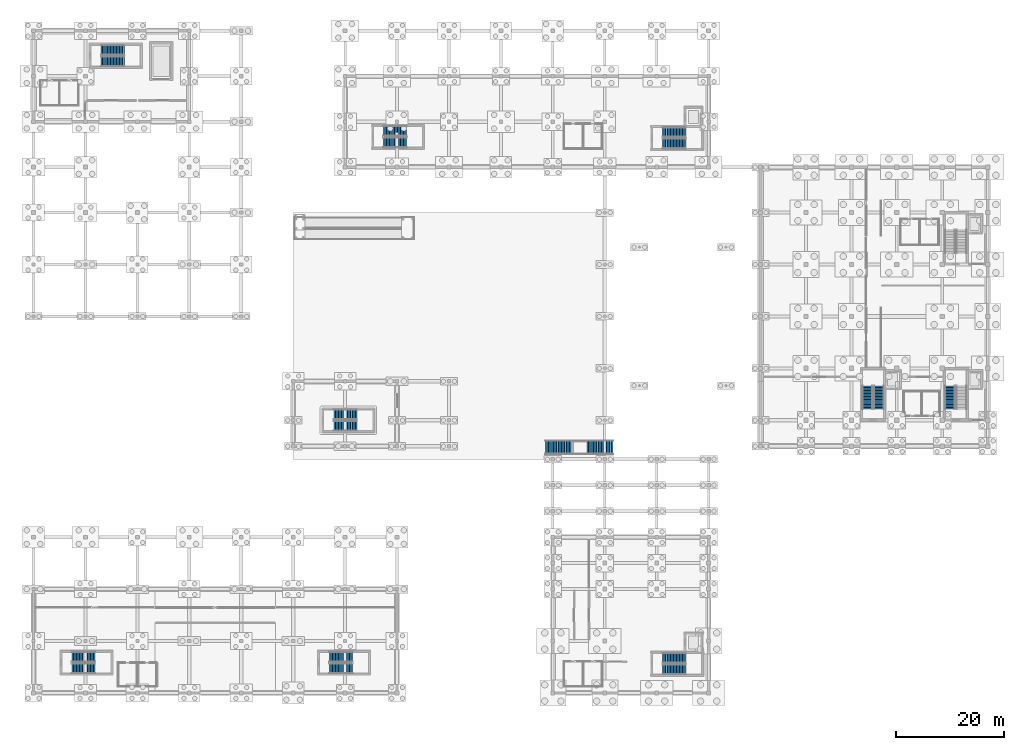
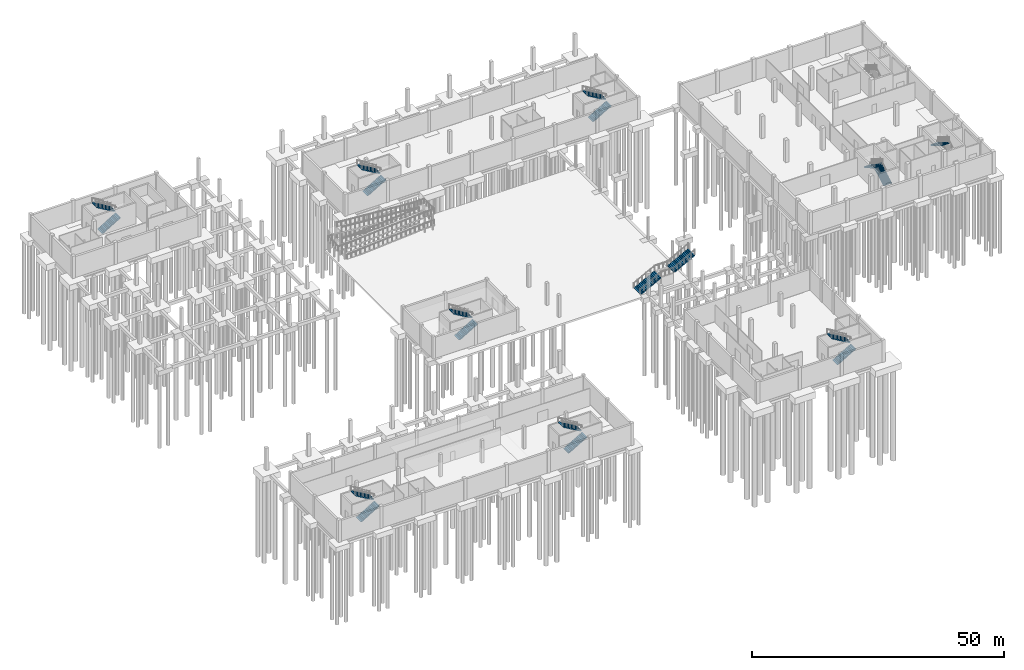
# One storey, part 29 of 41: 19 stair flights, 10 elements without a shape of their own.
"""IFC4 building model written with IfcOpenShell, lengths in metres."""

from ifc_helpers import new_model, si_unit, direction, frame, origin, place, context, subcontext, project, spatial, polyline, outline, extrude, material, type_object, element, aggregate, save


model = new_model("IFC4")

# Units and contexts
model_context = context("Model", 3, precision=1e-05, world=origin(), true_north=direction((0.0, 1.0)))
body_context = subcontext(model_context, "Body", "Model", "MODEL_VIEW")
ifc_project = project(units=[si_unit("LENGTHUNIT", "METRE"), si_unit("AREAUNIT", "SQUARE_METRE"), si_unit("VOLUMEUNIT", "CUBIC_METRE"), si_unit("PLANEANGLEUNIT", "RADIAN"), si_unit("MASSUNIT", "GRAM", prefix="KILO")], contexts=[model_context])

# Site, building, storey
site_placement = place(None, origin())
site = spatial("IfcSite", under=ifc_project, at=site_placement, CompositionType="ELEMENT")
building_placement = place(site_placement, origin())
building = spatial("IfcBuilding", under=site, at=building_placement, Name="Shalvenor Court Art Gallery", CompositionType="ELEMENT")
storey_placement = place(building_placement, frame((0.0, 0.0, -5.39990234375)))
storey = spatial("IfcBuildingStorey", under=building, at=storey_placement, Name="B01", CompositionType="ELEMENT", Elevation=-5.39990234375)

# Stair, stair flight
ifc_material_1 = material(Name="Concrete C40/50", Category="concrete")
stair_type_1 = type_object("IfcStairType", Name="ST-DL-32R-1900", PredefinedType="HALF_TURN_STAIR", material=ifc_material_1)
stair_1_placement = place(storey_placement, origin())
stair_1 = element("IfcStair", 1, at=stair_1_placement, inside=storey, type_object=stair_type_1, Name="B01 Core Dogleg Stair ST-02", PredefinedType="HALF_TURN_STAIR")
ifc_material_2 = material(Name="Concrete C40/50", Category="concrete")
stair_flight_type_1 = type_object("IfcStairFlightType", Name="FL-DL-16R-1900", PredefinedType="STRAIGHT", material=ifc_material_2)
stair_flight_1_placement = place(storey_placement, frame((169.449951171875, 56.77490234375, 2.699951171875), z_axis=(0.0, 0.0, 1.0), x_axis=(0.0, -1.0, 0.0)))
stair_flight_1 = element("IfcStairFlight", 2, at=stair_flight_1_placement, type_object=stair_flight_type_1, Name="ST-DL-32R-1900 flight 2", NumberOfRisers=16, NumberOfTreads=15, PredefinedType="STRAIGHT", RiserHeight=0.16875, TreadLength=0.285, context=body_context, shape_type="SweptSolid", body=[
    extrude(outline(polyline([(0.0, 0.0), (0.0, 0.168701171875), (0.284912109375, 0.168701171875), (0.284912109375, 0.33740234375), (0.570068359375, 0.33740234375), (0.570068359375, 0.50634765625), (0.85498046875, 0.50634765625), (0.85498046875, 0.675048828125), (1.139892578125, 0.675048828125), (1.139892578125, 0.84375), (1.425048828125, 0.84375), (1.425048828125, 1.012451171875), (1.7099609375, 1.012451171875), (1.7099609375, 1.18115234375), (1.9951171875, 1.18115234375), (1.9951171875, 1.35009765625), (2.280029296875, 1.35009765625), (2.280029296875, 1.518798828125), (2.56494140625, 1.518798828125), (2.56494140625, 1.6875), (2.85009765625, 1.6875), (2.85009765625, 1.856201171875), (3.135009765625, 1.856201171875), (3.135009765625, 2.02490234375), (3.419921875, 2.02490234375), (3.419921875, 2.19384765625), (3.705078125, 2.19384765625), (3.705078125, 2.362548828125), (3.989990234375, 2.362548828125), (3.989990234375, 2.53125), (4.27490234375, 2.53125), (4.27490234375, 2.699951171875), (4.27490234375, 2.322021484375), (0.353271484375, 0.0), (0.0, 0.0)])), frame((0.0, 0.949951171875, 0.0), z_axis=(0.0, -1.0, 0.0), x_axis=(1.0, 0.0, 0.0)), (0.0, 0.0, 1.0), 1.89990234375),
])
aggregate(stair_1, [stair_flight_1])

# Stair, stair flights
stair_2_placement = place(storey_placement, origin())
stair_2 = element("IfcStair", 3, at=stair_2_placement, inside=storey, type_object=stair_type_1, Name="B01 Core Dogleg Stair ST-03", PredefinedType="HALF_TURN_STAIR")
stair_flight_2_placement = place(storey_placement, frame((156.25, 52.5, 0.0), z_axis=(0.0, 0.0, 1.0), x_axis=(0.0, 1.0, 0.0)))
stair_flight_2 = element("IfcStairFlight", 4, at=stair_flight_2_placement, type_object=stair_flight_type_1, Name="ST-DL-32R-1900 flight 1", NumberOfRisers=16, NumberOfTreads=15, PredefinedType="STRAIGHT", RiserHeight=0.16875, TreadLength=0.285, context=body_context, shape_type="SweptSolid", body=[
    extrude(outline(polyline([(0.0, 0.0), (0.0, 0.168701171875), (0.284912109375, 0.168701171875), (0.284912109375, 0.33740234375), (0.570068359375, 0.33740234375), (0.570068359375, 0.50634765625), (0.85498046875, 0.50634765625), (0.85498046875, 0.675048828125), (1.139892578125, 0.675048828125), (1.139892578125, 0.84375), (1.425048828125, 0.84375), (1.425048828125, 1.012451171875), (1.7099609375, 1.012451171875), (1.7099609375, 1.18115234375), (1.9951171875, 1.18115234375), (1.9951171875, 1.35009765625), (2.280029296875, 1.35009765625), (2.280029296875, 1.518798828125), (2.56494140625, 1.518798828125), (2.56494140625, 1.6875), (2.85009765625, 1.6875), (2.85009765625, 1.856201171875), (3.135009765625, 1.856201171875), (3.135009765625, 2.02490234375), (3.419921875, 2.02490234375), (3.419921875, 2.19384765625), (3.705078125, 2.19384765625), (3.705078125, 2.362548828125), (3.989990234375, 2.362548828125), (3.989990234375, 2.53125), (4.27490234375, 2.53125), (4.27490234375, 2.699951171875), (4.27490234375, 2.322021484375), (0.353271484375, 0.0), (0.0, 0.0)])), frame((0.0, 0.949951171875, 0.0), z_axis=(0.0, -1.0, 0.0), x_axis=(1.0, 0.0, 0.0)), (0.0, 0.0, 1.0), 1.89990234375),
])
stair_flight_3_placement = place(storey_placement, frame((154.14990234375, 56.77490234375, 2.699951171875), z_axis=(0.0, 0.0, 1.0), x_axis=(0.0, -1.0, 0.0)))
stair_flight_3 = element("IfcStairFlight", 5, at=stair_flight_3_placement, type_object=stair_flight_type_1, Name="ST-DL-32R-1900 flight 2", NumberOfRisers=16, NumberOfTreads=15, PredefinedType="STRAIGHT", RiserHeight=0.16875, TreadLength=0.285, context=body_context, shape_type="SweptSolid", body=[
    extrude(outline(polyline([(0.0, 0.0), (0.0, 0.168701171875), (0.284912109375, 0.168701171875), (0.284912109375, 0.33740234375), (0.570068359375, 0.33740234375), (0.570068359375, 0.50634765625), (0.85498046875, 0.50634765625), (0.85498046875, 0.675048828125), (1.139892578125, 0.675048828125), (1.139892578125, 0.84375), (1.425048828125, 0.84375), (1.425048828125, 1.012451171875), (1.7099609375, 1.012451171875), (1.7099609375, 1.18115234375), (1.9951171875, 1.18115234375), (1.9951171875, 1.35009765625), (2.280029296875, 1.35009765625), (2.280029296875, 1.518798828125), (2.56494140625, 1.518798828125), (2.56494140625, 1.6875), (2.85009765625, 1.6875), (2.85009765625, 1.856201171875), (3.135009765625, 1.856201171875), (3.135009765625, 2.02490234375), (3.419921875, 2.02490234375), (3.419921875, 2.19384765625), (3.705078125, 2.19384765625), (3.705078125, 2.362548828125), (3.989990234375, 2.362548828125), (3.989990234375, 2.53125), (4.27490234375, 2.53125), (4.27490234375, 2.699951171875), (4.27490234375, 2.322021484375), (0.353271484375, 0.0), (0.0, 0.0)])), frame((0.0, 0.949951171875, 0.0), z_axis=(0.0, -1.0, 0.0), x_axis=(1.0, 0.0, 0.0)), (0.0, 0.0, 1.0), 1.89990234375),
])
aggregate(stair_2, [stair_flight_2, stair_flight_3])

stair_3_placement = place(storey_placement, origin())
stair_3 = element("IfcStair", 6, at=stair_3_placement, inside=storey, type_object=stair_type_1, Name="B01 Core Dogleg Stair ST-04", PredefinedType="HALF_TURN_STAIR")
stair_flight_4_placement = place(storey_placement, frame((116.300048828125, 4.35009765625, 0.0), z_axis=(0.0, 0.0, 1.0), x_axis=(1.0, 0.0, 0.0)))
stair_flight_4 = element("IfcStairFlight", 7, at=stair_flight_4_placement, type_object=stair_flight_type_1, Name="ST-DL-32R-1900 flight 1", NumberOfRisers=16, NumberOfTreads=15, PredefinedType="STRAIGHT", RiserHeight=0.16875, TreadLength=0.285, context=body_context, shape_type="SweptSolid", body=[
    extrude(outline(polyline([(0.0, 0.0), (0.0, 0.168701171875), (0.284912109375, 0.168701171875), (0.284912109375, 0.33740234375), (0.570068359375, 0.33740234375), (0.570068359375, 0.50634765625), (0.85498046875, 0.50634765625), (0.85498046875, 0.675048828125), (1.139892578125, 0.675048828125), (1.139892578125, 0.84375), (1.425048828125, 0.84375), (1.425048828125, 1.012451171875), (1.7099609375, 1.012451171875), (1.7099609375, 1.18115234375), (1.9951171875, 1.18115234375), (1.9951171875, 1.35009765625), (2.280029296875, 1.35009765625), (2.280029296875, 1.518798828125), (2.56494140625, 1.518798828125), (2.56494140625, 1.6875), (2.85009765625, 1.6875), (2.85009765625, 1.856201171875), (3.135009765625, 1.856201171875), (3.135009765625, 2.02490234375), (3.419921875, 2.02490234375), (3.419921875, 2.19384765625), (3.705078125, 2.19384765625), (3.705078125, 2.362548828125), (3.989990234375, 2.362548828125), (3.989990234375, 2.53125), (4.27490234375, 2.53125), (4.27490234375, 2.699951171875), (4.27490234375, 2.322021484375), (0.353271484375, 0.0), (0.0, 0.0)])), frame((0.0, 0.949951171875, 0.0), z_axis=(0.0, -1.0, 0.0), x_axis=(1.0, 0.0, 0.0)), (0.0, 0.0, 1.0), 1.89990234375),
])
stair_flight_5_placement = place(storey_placement, frame((120.574951171875, 6.449951171875, 2.699951171875), z_axis=(0.0, 0.0, 1.0), x_axis=(-1.0, 0.0, 0.0)))
stair_flight_5 = element("IfcStairFlight", 8, at=stair_flight_5_placement, type_object=stair_flight_type_1, Name="ST-DL-32R-1900 flight 2", NumberOfRisers=16, NumberOfTreads=15, PredefinedType="STRAIGHT", RiserHeight=0.16875, TreadLength=0.285, context=body_context, shape_type="SweptSolid", body=[
    extrude(outline(polyline([(0.0, 0.0), (0.0, 0.168701171875), (0.284912109375, 0.168701171875), (0.284912109375, 0.33740234375), (0.570068359375, 0.33740234375), (0.570068359375, 0.50634765625), (0.85498046875, 0.50634765625), (0.85498046875, 0.675048828125), (1.139892578125, 0.675048828125), (1.139892578125, 0.84375), (1.425048828125, 0.84375), (1.425048828125, 1.012451171875), (1.7099609375, 1.012451171875), (1.7099609375, 1.18115234375), (1.9951171875, 1.18115234375), (1.9951171875, 1.35009765625), (2.280029296875, 1.35009765625), (2.280029296875, 1.518798828125), (2.56494140625, 1.518798828125), (2.56494140625, 1.6875), (2.85009765625, 1.6875), (2.85009765625, 1.856201171875), (3.135009765625, 1.856201171875), (3.135009765625, 2.02490234375), (3.419921875, 2.02490234375), (3.419921875, 2.19384765625), (3.705078125, 2.19384765625), (3.705078125, 2.362548828125), (3.989990234375, 2.362548828125), (3.989990234375, 2.53125), (4.27490234375, 2.53125), (4.27490234375, 2.699951171875), (4.27490234375, 2.322021484375), (0.353271484375, 0.0), (0.0, 0.0)])), frame((0.0, 0.949951171875, 0.0), z_axis=(0.0, -1.0, 0.0), x_axis=(1.0, 0.0, 0.0)), (0.0, 0.0, 1.0), 1.89990234375),
])
aggregate(stair_3, [stair_flight_4, stair_flight_5])

stair_4_placement = place(storey_placement, origin())
stair_4 = element("IfcStair", 9, at=stair_4_placement, inside=storey, type_object=stair_type_1, Name="B01 Core Dogleg Stair ST-05", PredefinedType="HALF_TURN_STAIR")
stair_flight_6_placement = place(storey_placement, frame((116.300048828125, 101.550048828125, 0.0), z_axis=(0.0, 0.0, 1.0), x_axis=(1.0, 0.0, 0.0)))
stair_flight_6 = element("IfcStairFlight", 10, at=stair_flight_6_placement, type_object=stair_flight_type_1, Name="ST-DL-32R-1900 flight 1", NumberOfRisers=16, NumberOfTreads=15, PredefinedType="STRAIGHT", RiserHeight=0.16875, TreadLength=0.285, context=body_context, shape_type="SweptSolid", body=[
    extrude(outline(polyline([(0.0, 0.0), (0.0, 0.168701171875), (0.284912109375, 0.168701171875), (0.284912109375, 0.33740234375), (0.570068359375, 0.33740234375), (0.570068359375, 0.50634765625), (0.85498046875, 0.50634765625), (0.85498046875, 0.675048828125), (1.139892578125, 0.675048828125), (1.139892578125, 0.84375), (1.425048828125, 0.84375), (1.425048828125, 1.012451171875), (1.7099609375, 1.012451171875), (1.7099609375, 1.18115234375), (1.9951171875, 1.18115234375), (1.9951171875, 1.35009765625), (2.280029296875, 1.35009765625), (2.280029296875, 1.518798828125), (2.56494140625, 1.518798828125), (2.56494140625, 1.6875), (2.85009765625, 1.6875), (2.85009765625, 1.856201171875), (3.135009765625, 1.856201171875), (3.135009765625, 2.02490234375), (3.419921875, 2.02490234375), (3.419921875, 2.19384765625), (3.705078125, 2.19384765625), (3.705078125, 2.362548828125), (3.989990234375, 2.362548828125), (3.989990234375, 2.53125), (4.27490234375, 2.53125), (4.27490234375, 2.699951171875), (4.27490234375, 2.322021484375), (0.353271484375, 0.0), (0.0, 0.0)])), frame((0.0, 0.949951171875, 0.0), z_axis=(0.0, -1.0, 0.0), x_axis=(1.0, 0.0, 0.0)), (0.0, 0.0, 1.0), 1.89990234375),
])
stair_flight_7_placement = place(storey_placement, frame((120.574951171875, 103.64990234375, 2.699951171875), z_axis=(0.0, 0.0, 1.0), x_axis=(-1.0, 0.0, 0.0)))
stair_flight_7 = element("IfcStairFlight", 11, at=stair_flight_7_placement, type_object=stair_flight_type_1, Name="ST-DL-32R-1900 flight 2", NumberOfRisers=16, NumberOfTreads=15, PredefinedType="STRAIGHT", RiserHeight=0.16875, TreadLength=0.285, context=body_context, shape_type="SweptSolid", body=[
    extrude(outline(polyline([(0.0, 0.0), (0.0, 0.168701171875), (0.284912109375, 0.168701171875), (0.284912109375, 0.33740234375), (0.570068359375, 0.33740234375), (0.570068359375, 0.50634765625), (0.85498046875, 0.50634765625), (0.85498046875, 0.675048828125), (1.139892578125, 0.675048828125), (1.139892578125, 0.84375), (1.425048828125, 0.84375), (1.425048828125, 1.012451171875), (1.7099609375, 1.012451171875), (1.7099609375, 1.18115234375), (1.9951171875, 1.18115234375), (1.9951171875, 1.35009765625), (2.280029296875, 1.35009765625), (2.280029296875, 1.518798828125), (2.56494140625, 1.518798828125), (2.56494140625, 1.6875), (2.85009765625, 1.6875), (2.85009765625, 1.856201171875), (3.135009765625, 1.856201171875), (3.135009765625, 2.02490234375), (3.419921875, 2.02490234375), (3.419921875, 2.19384765625), (3.705078125, 2.19384765625), (3.705078125, 2.362548828125), (3.989990234375, 2.362548828125), (3.989990234375, 2.53125), (4.27490234375, 2.53125), (4.27490234375, 2.699951171875), (4.27490234375, 2.322021484375), (0.353271484375, 0.0), (0.0, 0.0)])), frame((0.0, 0.949951171875, 0.0), z_axis=(0.0, -1.0, 0.0), x_axis=(1.0, 0.0, 0.0)), (0.0, 0.0, 1.0), 1.89990234375),
])
aggregate(stair_4, [stair_flight_6, stair_flight_7])

stair_5_placement = place(storey_placement, origin())
stair_5 = element("IfcStair", 12, at=stair_5_placement, inside=storey, type_object=stair_type_1, Name="B01 Core Dogleg Stair ST-06", PredefinedType="HALF_TURN_STAIR")
stair_flight_8_placement = place(storey_placement, frame((12.5, 116.75, 0.0), z_axis=(0.0, 0.0, 1.0), x_axis=(1.0, 0.0, 0.0)))
stair_flight_8 = element("IfcStairFlight", 13, at=stair_flight_8_placement, type_object=stair_flight_type_1, Name="ST-DL-32R-1900 flight 1", NumberOfRisers=16, NumberOfTreads=15, PredefinedType="STRAIGHT", RiserHeight=0.16875, TreadLength=0.285, context=body_context, shape_type="SweptSolid", body=[
    extrude(outline(polyline([(0.0, 0.0), (0.0, 0.168701171875), (0.284912109375, 0.168701171875), (0.284912109375, 0.33740234375), (0.570068359375, 0.33740234375), (0.570068359375, 0.50634765625), (0.85498046875, 0.50634765625), (0.85498046875, 0.675048828125), (1.139892578125, 0.675048828125), (1.139892578125, 0.84375), (1.425048828125, 0.84375), (1.425048828125, 1.012451171875), (1.7099609375, 1.012451171875), (1.7099609375, 1.18115234375), (1.9951171875, 1.18115234375), (1.9951171875, 1.35009765625), (2.280029296875, 1.35009765625), (2.280029296875, 1.518798828125), (2.56494140625, 1.518798828125), (2.56494140625, 1.6875), (2.85009765625, 1.6875), (2.85009765625, 1.856201171875), (3.135009765625, 1.856201171875), (3.135009765625, 2.02490234375), (3.419921875, 2.02490234375), (3.419921875, 2.19384765625), (3.705078125, 2.19384765625), (3.705078125, 2.362548828125), (3.989990234375, 2.362548828125), (3.989990234375, 2.53125), (4.27490234375, 2.53125), (4.27490234375, 2.699951171875), (4.27490234375, 2.322021484375), (0.353271484375, 0.0), (0.0, 0.0)])), frame((0.0, 0.949951171875, 0.0), z_axis=(0.0, -1.0, 0.0), x_axis=(1.0, 0.0, 0.0)), (0.0, 0.0, 1.0), 1.89990234375),
])
stair_flight_9_placement = place(storey_placement, frame((16.77490234375, 118.85009765625, 2.699951171875), z_axis=(0.0, 0.0, 1.0), x_axis=(-1.0, 0.0, 0.0)))
stair_flight_9 = element("IfcStairFlight", 14, at=stair_flight_9_placement, type_object=stair_flight_type_1, Name="ST-DL-32R-1900 flight 2", NumberOfRisers=16, NumberOfTreads=15, PredefinedType="STRAIGHT", RiserHeight=0.16875, TreadLength=0.285, context=body_context, shape_type="SweptSolid", body=[
    extrude(outline(polyline([(0.0, 0.0), (0.0, 0.168701171875), (0.284912109375, 0.168701171875), (0.284912109375, 0.33740234375), (0.570068359375, 0.33740234375), (0.570068359375, 0.50634765625), (0.85498046875, 0.50634765625), (0.85498046875, 0.675048828125), (1.139892578125, 0.675048828125), (1.139892578125, 0.84375), (1.425048828125, 0.84375), (1.425048828125, 1.012451171875), (1.7099609375, 1.012451171875), (1.7099609375, 1.18115234375), (1.9951171875, 1.18115234375), (1.9951171875, 1.35009765625), (2.280029296875, 1.35009765625), (2.280029296875, 1.518798828125), (2.56494140625, 1.518798828125), (2.56494140625, 1.6875), (2.85009765625, 1.6875), (2.85009765625, 1.856201171875), (3.135009765625, 1.856201171875), (3.135009765625, 2.02490234375), (3.419921875, 2.02490234375), (3.419921875, 2.19384765625), (3.705078125, 2.19384765625), (3.705078125, 2.362548828125), (3.989990234375, 2.362548828125), (3.989990234375, 2.53125), (4.27490234375, 2.53125), (4.27490234375, 2.699951171875), (4.27490234375, 2.322021484375), (0.353271484375, 0.0), (0.0, 0.0)])), frame((0.0, 0.949951171875, 0.0), z_axis=(0.0, -1.0, 0.0), x_axis=(1.0, 0.0, 0.0)), (0.0, 0.0, 1.0), 1.89990234375),
])
aggregate(stair_5, [stair_flight_8, stair_flight_9])

stair_6_placement = place(storey_placement, origin())
stair_6 = element("IfcStair", 15, at=stair_6_placement, inside=storey, type_object=stair_type_1, Name="B01 Core Dogleg Stair ST-07", PredefinedType="HALF_TURN_STAIR")
stair_flight_10_placement = place(storey_placement, frame((7.10009765625, 4.550048828125, 0.0), z_axis=(0.0, 0.0, 1.0), x_axis=(1.0, 0.0, 0.0)))
stair_flight_10 = element("IfcStairFlight", 16, at=stair_flight_10_placement, type_object=stair_flight_type_1, Name="ST-DL-32R-1900 flight 1", NumberOfRisers=16, NumberOfTreads=15, PredefinedType="STRAIGHT", RiserHeight=0.16875, TreadLength=0.285, context=body_context, shape_type="SweptSolid", body=[
    extrude(outline(polyline([(0.0, 0.0), (0.0, 0.168701171875), (0.284912109375, 0.168701171875), (0.284912109375, 0.33740234375), (0.570068359375, 0.33740234375), (0.570068359375, 0.50634765625), (0.85498046875, 0.50634765625), (0.85498046875, 0.675048828125), (1.139892578125, 0.675048828125), (1.139892578125, 0.84375), (1.425048828125, 0.84375), (1.425048828125, 1.012451171875), (1.7099609375, 1.012451171875), (1.7099609375, 1.18115234375), (1.9951171875, 1.18115234375), (1.9951171875, 1.35009765625), (2.280029296875, 1.35009765625), (2.280029296875, 1.518798828125), (2.56494140625, 1.518798828125), (2.56494140625, 1.6875), (2.85009765625, 1.6875), (2.85009765625, 1.856201171875), (3.135009765625, 1.856201171875), (3.135009765625, 2.02490234375), (3.419921875, 2.02490234375), (3.419921875, 2.19384765625), (3.705078125, 2.19384765625), (3.705078125, 2.362548828125), (3.989990234375, 2.362548828125), (3.989990234375, 2.53125), (4.27490234375, 2.53125), (4.27490234375, 2.699951171875), (4.27490234375, 2.322021484375), (0.353271484375, 0.0), (0.0, 0.0)])), frame((0.0, 0.949951171875, 0.0), z_axis=(0.0, -1.0, 0.0), x_axis=(1.0, 0.0, 0.0)), (0.0, 0.0, 1.0), 1.89990234375),
])
stair_flight_11_placement = place(storey_placement, frame((11.375, 6.64990234375, 2.699951171875), z_axis=(0.0, 0.0, 1.0), x_axis=(-1.0, 0.0, 0.0)))
stair_flight_11 = element("IfcStairFlight", 17, at=stair_flight_11_placement, type_object=stair_flight_type_1, Name="ST-DL-32R-1900 flight 2", NumberOfRisers=16, NumberOfTreads=15, PredefinedType="STRAIGHT", RiserHeight=0.16875, TreadLength=0.285, context=body_context, shape_type="SweptSolid", body=[
    extrude(outline(polyline([(0.0, 0.0), (0.0, 0.168701171875), (0.284912109375, 0.168701171875), (0.284912109375, 0.33740234375), (0.570068359375, 0.33740234375), (0.570068359375, 0.50634765625), (0.85498046875, 0.50634765625), (0.85498046875, 0.675048828125), (1.139892578125, 0.675048828125), (1.139892578125, 0.84375), (1.425048828125, 0.84375), (1.425048828125, 1.012451171875), (1.7099609375, 1.012451171875), (1.7099609375, 1.18115234375), (1.9951171875, 1.18115234375), (1.9951171875, 1.35009765625), (2.280029296875, 1.35009765625), (2.280029296875, 1.518798828125), (2.56494140625, 1.518798828125), (2.56494140625, 1.6875), (2.85009765625, 1.6875), (2.85009765625, 1.856201171875), (3.135009765625, 1.856201171875), (3.135009765625, 2.02490234375), (3.419921875, 2.02490234375), (3.419921875, 2.19384765625), (3.705078125, 2.19384765625), (3.705078125, 2.362548828125), (3.989990234375, 2.362548828125), (3.989990234375, 2.53125), (4.27490234375, 2.53125), (4.27490234375, 2.699951171875), (4.27490234375, 2.322021484375), (0.353271484375, 0.0), (0.0, 0.0)])), frame((0.0, 0.949951171875, 0.0), z_axis=(0.0, -1.0, 0.0), x_axis=(1.0, 0.0, 0.0)), (0.0, 0.0, 1.0), 1.89990234375),
])
aggregate(stair_6, [stair_flight_10, stair_flight_11])

stair_7_placement = place(storey_placement, origin())
stair_7 = element("IfcStair", 18, at=stair_7_placement, inside=storey, type_object=stair_type_1, Name="B01 Core Dogleg Stair ST-08", PredefinedType="HALF_TURN_STAIR")
stair_flight_12_placement = place(storey_placement, frame((54.699951171875, 4.550048828125, 0.0), z_axis=(0.0, 0.0, 1.0), x_axis=(1.0, 0.0, 0.0)))
stair_flight_12 = element("IfcStairFlight", 19, at=stair_flight_12_placement, type_object=stair_flight_type_1, Name="ST-DL-32R-1900 flight 1", NumberOfRisers=16, NumberOfTreads=15, PredefinedType="STRAIGHT", RiserHeight=0.16875, TreadLength=0.285, context=body_context, shape_type="SweptSolid", body=[
    extrude(outline(polyline([(0.0, 0.0), (0.0, 0.168701171875), (0.284912109375, 0.168701171875), (0.284912109375, 0.33740234375), (0.570068359375, 0.33740234375), (0.570068359375, 0.50634765625), (0.85498046875, 0.50634765625), (0.85498046875, 0.675048828125), (1.139892578125, 0.675048828125), (1.139892578125, 0.84375), (1.425048828125, 0.84375), (1.425048828125, 1.012451171875), (1.7099609375, 1.012451171875), (1.7099609375, 1.18115234375), (1.9951171875, 1.18115234375), (1.9951171875, 1.35009765625), (2.280029296875, 1.35009765625), (2.280029296875, 1.518798828125), (2.56494140625, 1.518798828125), (2.56494140625, 1.6875), (2.85009765625, 1.6875), (2.85009765625, 1.856201171875), (3.135009765625, 1.856201171875), (3.135009765625, 2.02490234375), (3.419921875, 2.02490234375), (3.419921875, 2.19384765625), (3.705078125, 2.19384765625), (3.705078125, 2.362548828125), (3.989990234375, 2.362548828125), (3.989990234375, 2.53125), (4.27490234375, 2.53125), (4.27490234375, 2.699951171875), (4.27490234375, 2.322021484375), (0.353271484375, 0.0), (0.0, 0.0)])), frame((0.0, 0.949951171875, 0.0), z_axis=(0.0, -1.0, 0.0), x_axis=(1.0, 0.0, 0.0)), (0.0, 0.0, 1.0), 1.89990234375),
])
stair_flight_13_placement = place(storey_placement, frame((58.97509765625, 6.64990234375, 2.699951171875), z_axis=(0.0, 0.0, 1.0), x_axis=(-1.0, 0.0, 0.0)))
stair_flight_13 = element("IfcStairFlight", 20, at=stair_flight_13_placement, type_object=stair_flight_type_1, Name="ST-DL-32R-1900 flight 2", NumberOfRisers=16, NumberOfTreads=15, PredefinedType="STRAIGHT", RiserHeight=0.16875, TreadLength=0.285, context=body_context, shape_type="SweptSolid", body=[
    extrude(outline(polyline([(0.0, 0.0), (0.0, 0.168701171875), (0.284912109375, 0.168701171875), (0.284912109375, 0.33740234375), (0.570068359375, 0.33740234375), (0.570068359375, 0.50634765625), (0.85498046875, 0.50634765625), (0.85498046875, 0.675048828125), (1.139892578125, 0.675048828125), (1.139892578125, 0.84375), (1.425048828125, 0.84375), (1.425048828125, 1.012451171875), (1.7099609375, 1.012451171875), (1.7099609375, 1.18115234375), (1.9951171875, 1.18115234375), (1.9951171875, 1.35009765625), (2.280029296875, 1.35009765625), (2.280029296875, 1.518798828125), (2.56494140625, 1.518798828125), (2.56494140625, 1.6875), (2.85009765625, 1.6875), (2.85009765625, 1.856201171875), (3.135009765625, 1.856201171875), (3.135009765625, 2.02490234375), (3.419921875, 2.02490234375), (3.419921875, 2.19384765625), (3.705078125, 2.19384765625), (3.705078125, 2.362548828125), (3.989990234375, 2.362548828125), (3.989990234375, 2.53125), (4.27490234375, 2.53125), (4.27490234375, 2.699951171875), (4.27490234375, 2.322021484375), (0.353271484375, 0.0), (0.0, 0.0)])), frame((0.0, 0.949951171875, 0.0), z_axis=(0.0, -1.0, 0.0), x_axis=(1.0, 0.0, 0.0)), (0.0, 0.0, 1.0), 1.89990234375),
])
aggregate(stair_7, [stair_flight_12, stair_flight_13])

stair_8_placement = place(storey_placement, origin())
stair_8 = element("IfcStair", 21, at=stair_8_placement, inside=storey, type_object=stair_type_1, Name="B01 Core Dogleg Stair ST-09", PredefinedType="HALF_TURN_STAIR")
stair_flight_14_placement = place(storey_placement, frame((64.699951171875, 101.75, 0.0), z_axis=(0.0, 0.0, 1.0), x_axis=(1.0, 0.0, 0.0)))
stair_flight_14 = element("IfcStairFlight", 22, at=stair_flight_14_placement, type_object=stair_flight_type_1, Name="ST-DL-32R-1900 flight 1", NumberOfRisers=16, NumberOfTreads=15, PredefinedType="STRAIGHT", RiserHeight=0.16875, TreadLength=0.285, context=body_context, shape_type="SweptSolid", body=[
    extrude(outline(polyline([(0.0, 0.0), (0.0, 0.168701171875), (0.284912109375, 0.168701171875), (0.284912109375, 0.33740234375), (0.570068359375, 0.33740234375), (0.570068359375, 0.50634765625), (0.85498046875, 0.50634765625), (0.85498046875, 0.675048828125), (1.139892578125, 0.675048828125), (1.139892578125, 0.84375), (1.425048828125, 0.84375), (1.425048828125, 1.012451171875), (1.7099609375, 1.012451171875), (1.7099609375, 1.18115234375), (1.9951171875, 1.18115234375), (1.9951171875, 1.35009765625), (2.280029296875, 1.35009765625), (2.280029296875, 1.518798828125), (2.56494140625, 1.518798828125), (2.56494140625, 1.6875), (2.85009765625, 1.6875), (2.85009765625, 1.856201171875), (3.135009765625, 1.856201171875), (3.135009765625, 2.02490234375), (3.419921875, 2.02490234375), (3.419921875, 2.19384765625), (3.705078125, 2.19384765625), (3.705078125, 2.362548828125), (3.989990234375, 2.362548828125), (3.989990234375, 2.53125), (4.27490234375, 2.53125), (4.27490234375, 2.699951171875), (4.27490234375, 2.322021484375), (0.353271484375, 0.0), (0.0, 0.0)])), frame((0.0, 0.949951171875, 0.0), z_axis=(0.0, -1.0, 0.0), x_axis=(1.0, 0.0, 0.0)), (0.0, 0.0, 1.0), 1.89990234375),
])
stair_flight_15_placement = place(storey_placement, frame((68.97509765625, 103.85009765625, 2.699951171875), z_axis=(0.0, 0.0, 1.0), x_axis=(-1.0, 0.0, 0.0)))
stair_flight_15 = element("IfcStairFlight", 23, at=stair_flight_15_placement, type_object=stair_flight_type_1, Name="ST-DL-32R-1900 flight 2", NumberOfRisers=16, NumberOfTreads=15, PredefinedType="STRAIGHT", RiserHeight=0.16875, TreadLength=0.285, context=body_context, shape_type="SweptSolid", body=[
    extrude(outline(polyline([(0.0, 0.0), (0.0, 0.168701171875), (0.284912109375, 0.168701171875), (0.284912109375, 0.33740234375), (0.570068359375, 0.33740234375), (0.570068359375, 0.50634765625), (0.85498046875, 0.50634765625), (0.85498046875, 0.675048828125), (1.139892578125, 0.675048828125), (1.139892578125, 0.84375), (1.425048828125, 0.84375), (1.425048828125, 1.012451171875), (1.7099609375, 1.012451171875), (1.7099609375, 1.18115234375), (1.9951171875, 1.18115234375), (1.9951171875, 1.35009765625), (2.280029296875, 1.35009765625), (2.280029296875, 1.518798828125), (2.56494140625, 1.518798828125), (2.56494140625, 1.6875), (2.85009765625, 1.6875), (2.85009765625, 1.856201171875), (3.135009765625, 1.856201171875), (3.135009765625, 2.02490234375), (3.419921875, 2.02490234375), (3.419921875, 2.19384765625), (3.705078125, 2.19384765625), (3.705078125, 2.362548828125), (3.989990234375, 2.362548828125), (3.989990234375, 2.53125), (4.27490234375, 2.53125), (4.27490234375, 2.699951171875), (4.27490234375, 2.322021484375), (0.353271484375, 0.0), (0.0, 0.0)])), frame((0.0, 0.949951171875, 0.0), z_axis=(0.0, -1.0, 0.0), x_axis=(1.0, 0.0, 0.0)), (0.0, 0.0, 1.0), 1.89990234375),
])
aggregate(stair_8, [stair_flight_14, stair_flight_15])

stair_9_placement = place(storey_placement, origin())
stair_9 = element("IfcStair", 24, at=stair_9_placement, inside=storey, type_object=stair_type_1, Name="B01 Core Dogleg Stair ST-10", PredefinedType="HALF_TURN_STAIR")
stair_flight_16_placement = place(storey_placement, frame((55.5, 49.35009765625, 0.0), z_axis=(0.0, 0.0, 1.0), x_axis=(1.0, 0.0, 0.0)))
stair_flight_16 = element("IfcStairFlight", 25, at=stair_flight_16_placement, type_object=stair_flight_type_1, Name="ST-DL-32R-1900 flight 1", NumberOfRisers=16, NumberOfTreads=15, PredefinedType="STRAIGHT", RiserHeight=0.16875, TreadLength=0.285, context=body_context, shape_type="SweptSolid", body=[
    extrude(outline(polyline([(0.0, 0.0), (0.0, 0.168701171875), (0.284912109375, 0.168701171875), (0.284912109375, 0.33740234375), (0.570068359375, 0.33740234375), (0.570068359375, 0.50634765625), (0.85498046875, 0.50634765625), (0.85498046875, 0.675048828125), (1.139892578125, 0.675048828125), (1.139892578125, 0.84375), (1.425048828125, 0.84375), (1.425048828125, 1.012451171875), (1.7099609375, 1.012451171875), (1.7099609375, 1.18115234375), (1.9951171875, 1.18115234375), (1.9951171875, 1.35009765625), (2.280029296875, 1.35009765625), (2.280029296875, 1.518798828125), (2.56494140625, 1.518798828125), (2.56494140625, 1.6875), (2.85009765625, 1.6875), (2.85009765625, 1.856201171875), (3.135009765625, 1.856201171875), (3.135009765625, 2.02490234375), (3.419921875, 2.02490234375), (3.419921875, 2.19384765625), (3.705078125, 2.19384765625), (3.705078125, 2.362548828125), (3.989990234375, 2.362548828125), (3.989990234375, 2.53125), (4.27490234375, 2.53125), (4.27490234375, 2.699951171875), (4.27490234375, 2.322021484375), (0.353271484375, 0.0), (0.0, 0.0)])), frame((0.0, 0.949951171875, 0.0), z_axis=(0.0, -1.0, 0.0), x_axis=(1.0, 0.0, 0.0)), (0.0, 0.0, 1.0), 1.89990234375),
])
stair_flight_17_placement = place(storey_placement, frame((59.77490234375, 51.449951171875, 2.699951171875), z_axis=(0.0, 0.0, 1.0), x_axis=(-1.0, 0.0, 0.0)))
stair_flight_17 = element("IfcStairFlight", 26, at=stair_flight_17_placement, type_object=stair_flight_type_1, Name="ST-DL-32R-1900 flight 2", NumberOfRisers=16, NumberOfTreads=15, PredefinedType="STRAIGHT", RiserHeight=0.16875, TreadLength=0.285, context=body_context, shape_type="SweptSolid", body=[
    extrude(outline(polyline([(0.0, 0.0), (0.0, 0.168701171875), (0.284912109375, 0.168701171875), (0.284912109375, 0.33740234375), (0.570068359375, 0.33740234375), (0.570068359375, 0.50634765625), (0.85498046875, 0.50634765625), (0.85498046875, 0.675048828125), (1.139892578125, 0.675048828125), (1.139892578125, 0.84375), (1.425048828125, 0.84375), (1.425048828125, 1.012451171875), (1.7099609375, 1.012451171875), (1.7099609375, 1.18115234375), (1.9951171875, 1.18115234375), (1.9951171875, 1.35009765625), (2.280029296875, 1.35009765625), (2.280029296875, 1.518798828125), (2.56494140625, 1.518798828125), (2.56494140625, 1.6875), (2.85009765625, 1.6875), (2.85009765625, 1.856201171875), (3.135009765625, 1.856201171875), (3.135009765625, 2.02490234375), (3.419921875, 2.02490234375), (3.419921875, 2.19384765625), (3.705078125, 2.19384765625), (3.705078125, 2.362548828125), (3.989990234375, 2.362548828125), (3.989990234375, 2.53125), (4.27490234375, 2.53125), (4.27490234375, 2.699951171875), (4.27490234375, 2.322021484375), (0.353271484375, 0.0), (0.0, 0.0)])), frame((0.0, 0.949951171875, 0.0), z_axis=(0.0, -1.0, 0.0), x_axis=(1.0, 0.0, 0.0)), (0.0, 0.0, 1.0), 1.89990234375),
])
aggregate(stair_9, [stair_flight_16, stair_flight_17])

ifc_material_3 = material(Name="Concrete C40/50", Category="concrete")
stair_type_2 = type_object("IfcStairType", Name="ST-T1-TP", PredefinedType="STRAIGHT_RUN_STAIR", material=ifc_material_3)
stair_10_placement = place(storey_placement, origin())
stair_10 = element("IfcStair", 27, at=stair_10_placement, inside=storey, type_object=stair_type_2, Name="Sunken Forecourt Grand Terrace Stair 1", PredefinedType="STRAIGHT_RUN_STAIR")
ifc_material_4 = material(Name="Concrete C40/50", Category="concrete")
stair_flight_type_2 = type_object("IfcStairFlightType", Name="ST-T1-FL", PredefinedType="STRAIGHT", material=ifc_material_4)
stair_flight_18_placement = place(storey_placement, frame((94.60009765625, 45.39990234375, 0.0), z_axis=(0.0, 0.0, 1.0), x_axis=(1.0, 0.0, 0.0)))
stair_flight_18 = element("IfcStairFlight", 28, at=stair_flight_18_placement, type_object=stair_flight_type_2, Name="ST-T1-TP flight 1", NumberOfRisers=17, NumberOfTreads=16, PredefinedType="STRAIGHT", RiserHeight=0.158823529, TreadLength=0.3, context=body_context, shape_type="SweptSolid", body=[
    extrude(outline(polyline([(0.0, 0.0), (0.0, 0.158935546875), (0.300048828125, 0.158935546875), (0.300048828125, 0.317626953125), (0.60009765625, 0.317626953125), (0.60009765625, 0.4765625), (0.89990234375, 0.4765625), (0.89990234375, 0.63525390625), (1.199951171875, 0.63525390625), (1.199951171875, 0.794189453125), (1.5, 0.794189453125), (1.5, 0.952880859375), (1.800048828125, 0.952880859375), (1.800048828125, 1.11181640625), (2.10009765625, 1.11181640625), (2.10009765625, 1.2705078125), (2.39990234375, 1.2705078125), (2.39990234375, 1.429443359375), (2.699951171875, 1.429443359375), (2.699951171875, 1.588134765625), (3.0, 1.588134765625), (3.0, 1.7470703125), (3.300048828125, 1.7470703125), (3.300048828125, 1.90576171875), (3.60009765625, 1.90576171875), (3.60009765625, 2.064697265625), (3.89990234375, 2.064697265625), (3.89990234375, 2.2236328125), (4.199951171875, 2.2236328125), (4.199951171875, 2.38232421875), (4.5, 2.38232421875), (4.5, 2.541259765625), (4.800048828125, 2.541259765625), (4.800048828125, 2.699951171875), (4.800048828125, 2.292236328125), (0.47021484375, 0.0), (0.0, 0.0)])), frame((0.0, 1.300048828125, 0.0), z_axis=(0.0, -1.0, 0.0), x_axis=(1.0, 0.0, 0.0)), (0.0, 0.0, 1.0), 2.60009765625),
])
stair_flight_19_placement = place(storey_placement, frame((102.300048828125, 45.39990234375, 2.699951171875), z_axis=(0.0, 0.0, 1.0), x_axis=(1.0, 0.0, 0.0)))
stair_flight_19 = element("IfcStairFlight", 29, at=stair_flight_19_placement, type_object=stair_flight_type_2, Name="ST-T1-TP flight 2", NumberOfRisers=17, NumberOfTreads=16, PredefinedType="STRAIGHT", RiserHeight=0.158823529, TreadLength=0.3, context=body_context, shape_type="SweptSolid", body=[
    extrude(outline(polyline([(0.0, 0.0), (0.0, 0.158935546875), (0.300048828125, 0.158935546875), (0.300048828125, 0.317626953125), (0.60009765625, 0.317626953125), (0.60009765625, 0.4765625), (0.89990234375, 0.4765625), (0.89990234375, 0.63525390625), (1.199951171875, 0.63525390625), (1.199951171875, 0.794189453125), (1.5, 0.794189453125), (1.5, 0.952880859375), (1.800048828125, 0.952880859375), (1.800048828125, 1.11181640625), (2.10009765625, 1.11181640625), (2.10009765625, 1.2705078125), (2.39990234375, 1.2705078125), (2.39990234375, 1.429443359375), (2.699951171875, 1.429443359375), (2.699951171875, 1.588134765625), (3.0, 1.588134765625), (3.0, 1.7470703125), (3.300048828125, 1.7470703125), (3.300048828125, 1.90576171875), (3.60009765625, 1.90576171875), (3.60009765625, 2.064697265625), (3.89990234375, 2.064697265625), (3.89990234375, 2.2236328125), (4.199951171875, 2.2236328125), (4.199951171875, 2.38232421875), (4.5, 2.38232421875), (4.5, 2.541259765625), (4.800048828125, 2.541259765625), (4.800048828125, 2.699951171875), (4.800048828125, 2.292236328125), (0.47021484375, 0.0), (0.0, 0.0)])), frame((0.0, 1.300048828125, 0.0), z_axis=(0.0, -1.0, 0.0), x_axis=(1.0, 0.0, 0.0)), (0.0, 0.0, 1.0), 2.60009765625),
])
aggregate(stair_10, [stair_flight_18, stair_flight_19])

save(model, "model.ifc")
